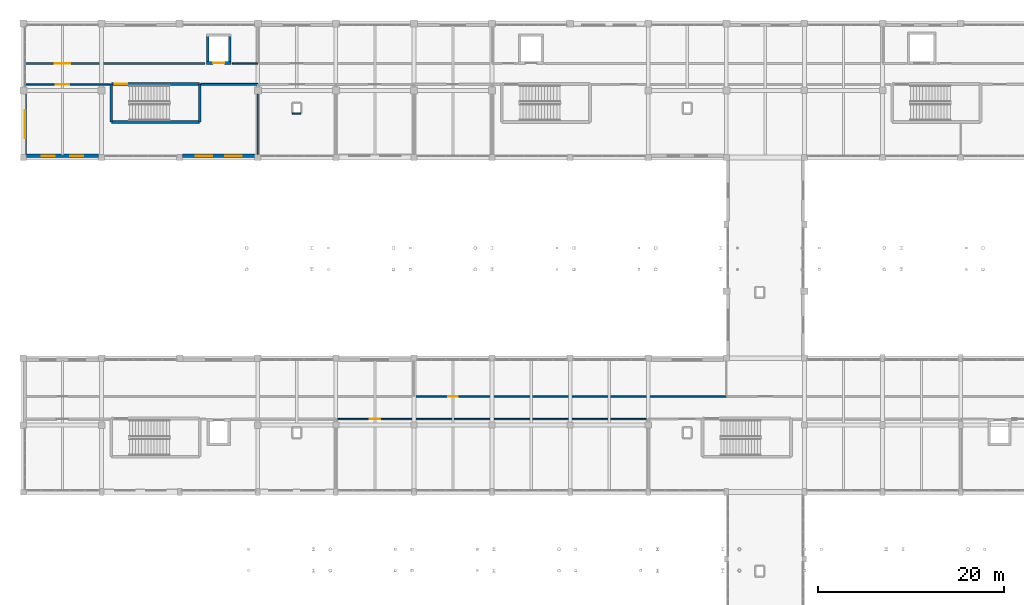
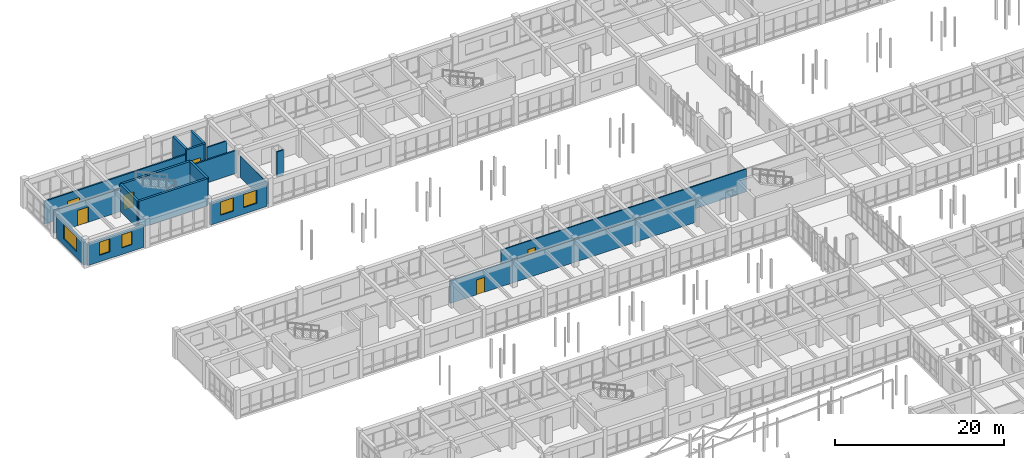
# One storey, part 131 of 147: 18 walls, 6 doors, 5 windows, 11 openings.
"""IFC4 building model written with IfcOpenShell, lengths in metres."""

from ifc_helpers import new_model, si_unit, direction, frame, frame_2d, origin, place, context, subcontext, project, spatial, rectangle, extrude, material, layer, layer_set, type_object, element, fill, save


model = new_model("IFC4")

# Units and contexts
model_context = context("Model", 3, precision=1e-05, world=origin(), true_north=direction((0.0, 1.0)))
body_context = subcontext(model_context, "Body", "Model", "MODEL_VIEW")
ifc_project = project(units=[si_unit("LENGTHUNIT", "METRE"), si_unit("AREAUNIT", "SQUARE_METRE"), si_unit("VOLUMEUNIT", "CUBIC_METRE"), si_unit("PLANEANGLEUNIT", "RADIAN"), si_unit("MASSUNIT", "GRAM", prefix="KILO")], contexts=[model_context])

# Site, building, storey
site_placement = place(None, origin())
site = spatial("IfcSite", under=ifc_project, at=site_placement, CompositionType="ELEMENT")
building_placement = place(site_placement, origin())
building = spatial("IfcBuilding", under=site, at=building_placement, Name="Malvenik Polytechnic", CompositionType="ELEMENT")
storey_placement = place(building_placement, frame((0.0, 0.0, 5.10009765625)))
storey = spatial("IfcBuildingStorey", under=building, at=storey_placement, Name="L01", CompositionType="ELEMENT", Elevation=5.10009765625)

# Wall, opening, door
ifc_material_1 = material(Name="Concrete C35/45", Category="concrete")
ifc_layer_1 = layer(ifc_material_1, 0.280029296875)
ifc_layer_set_1 = layer_set([ifc_layer_1], Name="Concrete C35/45")
wall_type_1 = type_object("IfcWallType", Name="ARC-CW-S280", PredefinedType="SHEAR", material=ifc_layer_set_1)
wall_1_placement = place(storey_placement, frame((22.340087890625, 125.35009765625, 0.0), z_axis=(0.0, 0.0, 1.0), x_axis=(-1.0, 0.0, 0.0)))
wall_1 = element("IfcWall", 1, at=wall_1_placement, inside=storey, type_object=wall_type_1, Name="Lift Shaft Shear Wall LS-01 L01 -Y", PredefinedType="SHEAR", context=body_context, shape_type="SweptSolid", body=[
    extrude(rectangle(XDim=2.68017578125, YDim=0.280029296875, at=frame_2d((1.340087890625, 0.0))), origin(), (0.0, 0.0, 1.0), 3.919921875),
])
opening_1_placement = place(wall_1_placement, frame((0.739990234375, 0.0, 0.0)))
opening_1 = element("IfcOpeningElement", 2, at=opening_1_placement, cuts=wall_1, Name="Opening LD-02", PredefinedType="OPENING", context=body_context, shape_type="SweptSolid", body=[
    extrude(rectangle(XDim=1.199951171875, YDim=2.14990234375, at=frame_2d((0.60009765625, 1.074951171875))), frame((0.0, 0.14990234375, 0.0), z_axis=(0.0, -1.0, 0.0), x_axis=(1.0, 0.0, 0.0)), (0.0, 0.0, 1.0), 0.300048828125),
])
ifc_material_2 = material(Name="Stainless steel fire-rated sliding lift landing door", Category="steel")
door_type_1 = type_object("IfcDoorType", Name="ARC-LDR-LD-02", OperationType="NOTDEFINED", PredefinedType="DOOR", material=ifc_material_2)
door_1_placement = place(opening_1_placement, origin())
door_1 = element("IfcDoor", 3, at=door_1_placement, inside=storey, type_object=door_type_1, Name="Lift Sliding Landing Door LS-01 L01", OperationType="DOUBLE_DOOR_SLIDING", OverallHeight=2.14990234375, OverallWidth=1.199951171875, PredefinedType="DOOR", context=body_context, shape_type="SweptSolid", body=[
    extrude(rectangle(XDim=1.199951171875, YDim=2.14990234375, at=frame_2d((0.60009765625, 1.074951171875))), frame((0.0, 0.02490234375, 0.0), z_axis=(0.0, -1.0, 0.0), x_axis=(1.0, 0.0, 0.0)), (0.0, 0.0, 1.0), 0.050048828125),
])
fill(opening_1, door_1)

# Walls
for number, where, z_axis, x_axis, name in (
    (4, (19.800048828125, 125.2099609375, 0.0), (0.0, 0.0, 1.0), (0.0, 1.0, 0.0), "Lift Shaft Shear Wall LS-01 L01 -X"),
    (5, (22.199951171875, 128.489990234375, 0.0), (0.0, 0.0, 1.0), (0.0, -1.0, 0.0), "Lift Shaft Shear Wall LS-01 L01 +X"),
):
    element("IfcWall", number, at=place(storey_placement, frame(where, z_axis=z_axis, x_axis=x_axis)), inside=storey, type_object=wall_type_1, Name=name, PredefinedType="SHEAR", context=body_context, shape_type="SweptSolid", body=[
        extrude(rectangle(XDim=3.280029296875, YDim=0.280029296875, at=frame_2d((1.64013671875, 0.0))), origin(), (0.0, 0.0, 1.0), 3.919921875),
    ])
ifc_layer_2 = layer(ifc_material_1, 0.300048828125)
ifc_layer_set_2 = layer_set([ifc_layer_2], Name="Concrete C35/45")
wall_type_2 = type_object("IfcWallType", Name="ARC-CW-S300", PredefinedType="SHEAR", material=ifc_layer_set_2)
wall_2_placement = place(storey_placement, frame((9.449951171875, 119.0, 0.0), z_axis=(0.0, 0.0, 1.0), x_axis=(0.0, 1.0, 0.0)))
element("IfcWall", 6, at=wall_2_placement, inside=storey, type_object=wall_type_2, Name="Stair Core Shear Wall ST-01 L01 NEAR", PredefinedType="SHEAR", context=body_context, shape_type="SweptSolid", body=[
    extrude(rectangle(XDim=4.10009765625, YDim=0.300048828125, at=frame_2d((2.050048828125, 0.0))), origin(), (0.0, 0.0, 1.0), 3.919921875),
])

# Wall, opening, door
wall_3_placement = place(storey_placement, frame((9.449951171875, 123.10009765625, 0.0), z_axis=(0.0, 0.0, 1.0), x_axis=(1.0, 0.0, 0.0)))
wall_3 = element("IfcWall", 7, at=wall_3_placement, inside=storey, type_object=wall_type_2, Name="Stair Core Shear Wall ST-01 L01 RGHT", PredefinedType="SHEAR", context=body_context, shape_type="SweptSolid", body=[
    extrude(rectangle(XDim=9.5, YDim=0.300048828125, at=frame_2d((4.75, 0.0))), origin(), (0.0, 0.0, 1.0), 3.919921875),
])
opening_2_placement = place(wall_3_placement, frame((0.35009765625, 0.0, 0.0)))
opening_2 = element("IfcOpeningElement", 8, at=opening_2_placement, cuts=wall_3, Name="Opening SD-01", PredefinedType="OPENING", context=body_context, shape_type="SweptSolid", body=[
    extrude(rectangle(XDim=1.35009765625, YDim=2.199951171875, at=frame_2d((0.675048828125, 1.10009765625))), frame((0.0, 0.16015625, 0.0), z_axis=(0.0, -1.0, 0.0), x_axis=(1.0, 0.0, 0.0)), (0.0, 0.0, 1.0), 0.320068359375),
])
ifc_material_3 = material(Name="Fire-rated steel stair enclosure door", Category="steel")
door_type_2 = type_object("IfcDoorType", Name="ARC-IDR-SD-01", OperationType="NOTDEFINED", PredefinedType="DOOR", material=ifc_material_3)
door_2_placement = place(opening_2_placement, origin())
door_2 = element("IfcDoor", 9, at=door_2_placement, inside=storey, type_object=door_type_2, Name="Fire Stair Door ST-01 L01", OperationType="SINGLE_SWING_RIGHT", OverallHeight=2.199951171875, OverallWidth=1.35009765625, PredefinedType="DOOR", context=body_context, shape_type="SweptSolid", body=[
    extrude(rectangle(XDim=1.35009765625, YDim=2.199951171875, at=frame_2d((0.675048828125, 1.10009765625))), frame((0.0, 0.02490234375, 0.0), z_axis=(0.0, -1.0, 0.0), x_axis=(1.0, 0.0, 0.0)), (0.0, 0.0, 1.0), 0.050048828125),
])
fill(opening_2, door_2)

# Walls
wall_4_placement = place(storey_placement, frame((18.949951171875, 123.10009765625, 0.0), z_axis=(0.0, 0.0, 1.0), x_axis=(0.0, -1.0, 0.0)))
element("IfcWall", 10, at=wall_4_placement, inside=storey, type_object=wall_type_2, Name="Stair Core Shear Wall ST-01 L01 FAR", PredefinedType="SHEAR", context=body_context, shape_type="SweptSolid", body=[
    extrude(rectangle(XDim=4.10009765625, YDim=0.300048828125, at=frame_2d((2.050048828125, 0.0))), origin(), (0.0, 0.0, 1.0), 3.919921875),
])
wall_5_placement = place(storey_placement, frame((18.949951171875, 119.0, 0.0), z_axis=(0.0, 0.0, 1.0), x_axis=(-1.0, 0.0, 0.0)))
element("IfcWall", 11, at=wall_5_placement, inside=storey, type_object=wall_type_2, Name="Stair Core Shear Wall ST-01 L01 LEFT", PredefinedType="SHEAR", context=body_context, shape_type="SweptSolid", body=[
    extrude(rectangle(XDim=9.5, YDim=0.300048828125, at=frame_2d((4.75, 0.0))), origin(), (0.0, 0.0, 1.0), 3.919921875),
])

# Wall, openings, windows
ifc_material_4 = material(Name="Concrete C30/37", Category="concrete")
ifc_layer_3 = layer(ifc_material_4, 0.340087890625)
ifc_layer_set_3 = layer_set([ifc_layer_3], Name="Concrete C30/37")
wall_type_3 = type_object("IfcWallType", Name="ARC-EW-340", PredefinedType="SOLIDWALL", material=ifc_layer_set_3)
wall_6_placement = place(storey_placement, frame((24.876953125, 115.3701171875, 0.0), z_axis=(0.0, 0.0, 1.0), x_axis=(-1.0, 0.0, 0.0)))
wall_6 = element("IfcWall", 12, at=wall_6_placement, inside=storey, type_object=wall_type_3, Name="External Facade Wall EW-02 L01 #187", PredefinedType="SOLIDWALL", context=body_context, shape_type="SweptSolid", body=[
    extrude(rectangle(XDim=7.75390625, YDim=0.340087890625, at=frame_2d((3.876953125, 0.0))), origin(), (0.0, 0.0, 1.0), 3.10986328125),
])
opening_3_placement = place(wall_6_placement, frame((1.384765625, 0.0, 0.949951171875)))
opening_3 = element("IfcOpeningElement", 13, at=opening_3_placement, cuts=wall_6, Name="Opening W-04", PredefinedType="OPENING", context=body_context, shape_type="SweptSolid", body=[
    extrude(rectangle(XDim=1.800048828125, YDim=1.909912109375, at=frame_2d((0.89990234375, 0.955078125))), frame((0.0, 0.18017578125, 0.0), z_axis=(0.0, -1.0, 0.0), x_axis=(1.0, 0.0, 0.0)), (0.0, 0.0, 1.0), 0.360107421875),
])
opening_4_placement = place(wall_6_placement, frame((4.5693359375, 0.0, 0.949951171875)))
opening_4 = element("IfcOpeningElement", 14, at=opening_4_placement, cuts=wall_6, Name="Opening W-04", PredefinedType="OPENING", context=body_context, shape_type="SweptSolid", body=[
    extrude(rectangle(XDim=1.800048828125, YDim=1.909912109375, at=frame_2d((0.89990234375, 0.955078125))), frame((0.0, 0.18017578125, 0.0), z_axis=(0.0, -1.0, 0.0), x_axis=(1.0, 0.0, 0.0)), (0.0, 0.0, 1.0), 0.360107421875),
])
ifc_material_5 = material(Name="Thermally broken aluminium frame with low-E double glazing", Category="aluminium")
window_type_1 = type_object("IfcWindowType", Name="ARC-WIN-W-04", PartitioningType="SINGLE_PANEL", PredefinedType="WINDOW", material=ifc_material_5)
window_1_placement = place(opening_3_placement, origin())
window_1 = element("IfcWindow", 15, at=window_1_placement, inside=storey, type_object=window_type_1, Name="Punched Window W-04 L01 #153", OverallHeight=1.909912109375, OverallWidth=1.800048828125, PartitioningType="SINGLE_PANEL", PredefinedType="WINDOW", context=body_context, shape_type="SweptSolid", body=[
    extrude(rectangle(XDim=1.800048828125, YDim=1.909912109375, at=frame_2d((0.89990234375, 0.955078125))), frame((0.0, 0.030029296875, 0.0), z_axis=(0.0, -1.0, 0.0), x_axis=(1.0, 0.0, 0.0)), (0.0, 0.0, 1.0), 0.06005859375),
])
fill(opening_3, window_1)
window_2_placement = place(opening_4_placement, origin())
window_2 = element("IfcWindow", 16, at=window_2_placement, inside=storey, type_object=window_type_1, Name="Punched Window W-04 L01 #154", OverallHeight=1.909912109375, OverallWidth=1.800048828125, PartitioningType="SINGLE_PANEL", PredefinedType="WINDOW", context=body_context, shape_type="SweptSolid", body=[
    extrude(rectangle(XDim=1.800048828125, YDim=1.909912109375, at=frame_2d((0.89990234375, 0.955078125))), frame((0.0, 0.030029296875, 0.0), z_axis=(0.0, -1.0, 0.0), x_axis=(1.0, 0.0, 0.0)), (0.0, 0.0, 1.0), 0.06005859375),
])
fill(opening_4, window_2)

wall_7_placement = place(storey_placement, frame((8.076904296875, 115.3701171875, 0.0), z_axis=(0.0, 0.0, 1.0), x_axis=(-1.0, 0.0, 0.0)))
wall_7 = element("IfcWall", 17, at=wall_7_placement, inside=storey, type_object=wall_type_3, Name="External Facade Wall EW-02 L01 #188", PredefinedType="SOLIDWALL", context=body_context, shape_type="SweptSolid", body=[
    extrude(rectangle(XDim=7.75390625, YDim=0.340087890625, at=frame_2d((3.876953125, 0.0))), origin(), (0.0, 0.0, 1.0), 3.10986328125),
])
opening_5_placement = place(wall_7_placement, frame((1.6513671875, 0.0, 0.949951171875)))
opening_5 = element("IfcOpeningElement", 18, at=opening_5_placement, cuts=wall_7, Name="Opening W-06", PredefinedType="OPENING", context=body_context, shape_type="SweptSolid", body=[
    extrude(rectangle(XDim=1.39990234375, YDim=1.89990234375, at=frame_2d((0.699951171875, 0.949951171875))), frame((0.0, 0.18017578125, 0.0), z_axis=(0.0, -1.0, 0.0), x_axis=(1.0, 0.0, 0.0)), (0.0, 0.0, 1.0), 0.360107421875),
])
opening_6_placement = place(wall_7_placement, frame((4.70263671875, 0.0, 0.949951171875)))
opening_6 = element("IfcOpeningElement", 19, at=opening_6_placement, cuts=wall_7, Name="Opening W-06", PredefinedType="OPENING", context=body_context, shape_type="SweptSolid", body=[
    extrude(rectangle(XDim=1.39990234375, YDim=1.89990234375, at=frame_2d((0.699951171875, 0.949951171875))), frame((0.0, 0.18017578125, 0.0), z_axis=(0.0, -1.0, 0.0), x_axis=(1.0, 0.0, 0.0)), (0.0, 0.0, 1.0), 0.360107421875),
])
window_type_2 = type_object("IfcWindowType", Name="ARC-WIN-W-06", PartitioningType="SINGLE_PANEL", PredefinedType="WINDOW", material=ifc_material_5)
window_3_placement = place(opening_5_placement, origin())
window_3 = element("IfcWindow", 20, at=window_3_placement, inside=storey, type_object=window_type_2, Name="Punched Window W-06 L01 #155", OverallHeight=1.89990234375, OverallWidth=1.39990234375, PartitioningType="SINGLE_PANEL", PredefinedType="WINDOW", context=body_context, shape_type="SweptSolid", body=[
    extrude(rectangle(XDim=1.39990234375, YDim=1.89990234375, at=frame_2d((0.699951171875, 0.949951171875))), frame((0.0, 0.030029296875, 0.0), z_axis=(0.0, -1.0, 0.0), x_axis=(1.0, 0.0, 0.0)), (0.0, 0.0, 1.0), 0.06005859375),
])
fill(opening_5, window_3)
window_4_placement = place(opening_6_placement, origin())
window_4 = element("IfcWindow", 21, at=window_4_placement, inside=storey, type_object=window_type_2, Name="Punched Window W-06 L01 #156", OverallHeight=1.89990234375, OverallWidth=1.39990234375, PartitioningType="SINGLE_PANEL", PredefinedType="WINDOW", context=body_context, shape_type="SweptSolid", body=[
    extrude(rectangle(XDim=1.39990234375, YDim=1.89990234375, at=frame_2d((0.699951171875, 0.949951171875))), frame((0.0, 0.030029296875, 0.0), z_axis=(0.0, -1.0, 0.0), x_axis=(1.0, 0.0, 0.0)), (0.0, 0.0, 1.0), 0.06005859375),
])
fill(opening_6, window_4)

# Wall, opening, window
wall_8_placement = place(storey_placement, frame((0.169921875, 115.52294921875, 0.0), z_axis=(0.0, 0.0, 1.0), x_axis=(0.0, 1.0, 0.0)))
wall_8 = element("IfcWall", 22, at=wall_8_placement, inside=storey, type_object=wall_type_3, Name="External Facade Wall EW-02 L01 #189", PredefinedType="SOLIDWALL", context=body_context, shape_type="SweptSolid", body=[
    extrude(rectangle(XDim=6.504150390625, YDim=0.340087890625, at=frame_2d((3.251953125, 0.0))), origin(), (0.0, 0.0, 1.0), 3.309814453125),
])
opening_7_placement = place(wall_8_placement, frame((1.751953125, 0.0, 0.949951171875)))
opening_7 = element("IfcOpeningElement", 23, at=opening_7_placement, cuts=wall_8, Name="Opening W-08", PredefinedType="OPENING", context=body_context, shape_type="SweptSolid", body=[
    extrude(rectangle(XDim=3.0, YDim=2.10009765625, at=frame_2d((1.5, 1.050048828125))), frame((0.0, 0.18017578125, 0.0), z_axis=(0.0, -1.0, 0.0), x_axis=(1.0, 0.0, 0.0)), (0.0, 0.0, 1.0), 0.360107421875),
])
window_type_3 = type_object("IfcWindowType", Name="ARC-WIN-W-08", PartitioningType="SINGLE_PANEL", PredefinedType="WINDOW", material=ifc_material_5)
window_5_placement = place(opening_7_placement, origin())
window_5 = element("IfcWindow", 24, at=window_5_placement, inside=storey, type_object=window_type_3, Name="Punched Window W-08 L01 #157", OverallHeight=2.10009765625, OverallWidth=3.0, PartitioningType="SINGLE_PANEL", PredefinedType="WINDOW", context=body_context, shape_type="SweptSolid", body=[
    extrude(rectangle(XDim=3.0, YDim=2.10009765625, at=frame_2d((1.5, 1.050048828125))), frame((0.0, 0.030029296875, 0.0), z_axis=(0.0, -1.0, 0.0), x_axis=(1.0, 0.0, 0.0)), (0.0, 0.0, 1.0), 0.06005859375),
])
fill(opening_7, window_5)

# Wall, opening, door
ifc_material_6 = material(Name="Calcium silicate fire-rated blockwork 200mm", Category="masonry")
ifc_layer_4 = layer(ifc_material_6, 0.199951171875)
ifc_layer_set_4 = layer_set([ifc_layer_4], Name="Calcium silicate fire-rated blockwork 200mm")
wall_type_4 = type_object("IfcWallType", Name="ARC-FW-200", PredefinedType="SOLIDWALL", material=ifc_layer_set_4)
wall_9_placement = place(storey_placement, frame((0.219970703125, 125.300048828125, 0.0), z_axis=(0.0, 0.0, 1.0), x_axis=(1.0, 0.0, 0.0)))
wall_9 = element("IfcWall", 25, at=wall_9_placement, inside=storey, type_object=wall_type_4, Name="Interior Partition FW-02 L01 #148", PredefinedType="SOLIDWALL", context=body_context, shape_type="SweptSolid", body=[
    extrude(rectangle(XDim=19.31005859375, YDim=0.199951171875, at=frame_2d((9.655029296875, 0.0))), origin(), (0.0, 0.0, 1.0), 3.304931640625),
])
opening_8_placement = place(wall_9_placement, frame((3.155029296875, 0.0, 0.0)))
opening_8 = element("IfcOpeningElement", 26, at=opening_8_placement, cuts=wall_9, Name="Opening FD-03", PredefinedType="OPENING", context=body_context, shape_type="SweptSolid", body=[
    extrude(rectangle(XDim=1.64990234375, YDim=2.199951171875, at=frame_2d((0.824951171875, 1.10009765625))), frame((0.0, 0.10986328125, 0.0), z_axis=(0.0, -1.0, 0.0), x_axis=(1.0, 0.0, 0.0)), (0.0, 0.0, 1.0), 0.219970703125),
])
ifc_material_7 = material(Name="Fire-rated double-leaf laboratory door", Category="steel")
door_type_3 = type_object("IfcDoorType", Name="ARC-IDR-FD-03", OperationType="NOTDEFINED", PredefinedType="DOOR", material=ifc_material_7)
door_3_placement = place(opening_8_placement, origin())
door_3 = element("IfcDoor", 27, at=door_3_placement, inside=storey, type_object=door_type_3, Name="Interior Door FD-03 L01 #65", OperationType="DOUBLE_DOOR_SINGLE_SWING", OverallHeight=2.199951171875, OverallWidth=1.64990234375, PredefinedType="DOOR", context=body_context, shape_type="SweptSolid", body=[
    extrude(rectangle(XDim=1.64990234375, YDim=2.199951171875, at=frame_2d((0.824951171875, 1.10009765625))), frame((0.0, 0.02490234375, 0.0), z_axis=(0.0, -1.0, 0.0), x_axis=(1.0, 0.0, 0.0)), (0.0, 0.0, 1.0), 0.050048828125),
])
fill(opening_8, door_3)

# Walls
wall_10_placement = place(storey_placement, frame((25.199951171875, 123.050048828125, 0.0), z_axis=(0.0, 0.0, 1.0), x_axis=(-1.0, 0.0, 0.0)))
element("IfcWall", 28, at=wall_10_placement, inside=storey, type_object=wall_type_4, Name="Interior Partition FW-02 L01 #158", PredefinedType="SOLIDWALL", context=body_context, shape_type="SweptSolid", body=[
    extrude(rectangle(XDim=6.10986328125, YDim=0.199951171875, at=frame_2d((3.054931640625, 0.0))), origin(), (0.0, 0.0, 1.0), 3.304931640625),
])
ifc_material_8 = material(Name="Metal-stud gypsum board partition 125mm", Category="gypsum")
ifc_layer_5 = layer(ifc_material_8, 0.125)
ifc_layer_set_5 = layer_set([ifc_layer_5], Name="Metal-stud gypsum board partition 125mm")
wall_type_5 = type_object("IfcWallType", Name="ARC-PW-125", PredefinedType="PARTITIONING", material=ifc_layer_set_5)
wall_11_placement = place(storey_placement, frame((25.199951171875, 115.544921875, 0.0), z_axis=(0.0, 0.0, 1.0), x_axis=(0.0, 1.0, 0.0)))
element("IfcWall", 29, at=wall_11_placement, inside=storey, type_object=wall_type_5, Name="Interior Partition PW-03I L01 #160", PredefinedType="PARTITIONING", context=body_context, shape_type="SweptSolid", body=[
    extrude(rectangle(XDim=6.4599609375, YDim=0.125, at=frame_2d((3.22998046875, 0.0))), origin(), (0.0, 0.0, 1.0), 3.10498046875),
])
ifc_material_9 = material(Name="Double-stud acoustic gypsum board partition 160mm", Category="gypsum")
ifc_layer_6 = layer(ifc_material_9, 0.159912109375)
ifc_layer_set_6 = layer_set([ifc_layer_6], Name="Double-stud acoustic gypsum board partition 160mm")
wall_type_6 = type_object("IfcWallType", Name="ARC-PW-160", PredefinedType="PARTITIONING", material=ifc_layer_set_6)
wall_12_placement = place(storey_placement, frame((28.919921875, 119.919921875, 0.0), z_axis=(0.0, 0.0, 1.0), x_axis=(1.0, 0.0, 0.0)))
element("IfcWall", 30, at=wall_12_placement, inside=storey, type_object=wall_type_6, Name="Riser Shaft Enclosure L01 #13S", PredefinedType="PARTITIONING", context=body_context, shape_type="SweptSolid", body=[
    extrude(rectangle(XDim=0.91015625, YDim=0.159912109375, at=frame_2d((0.455078125, 0.0))), origin(), (0.0, 0.0, 1.0), 3.64990234375),
])
wall_13_placement = place(storey_placement, frame((22.469970703125, 125.300048828125, 0.0), z_axis=(0.0, 0.0, 1.0), x_axis=(1.0, 0.0, 0.0)))
element("IfcWall", 31, at=wall_13_placement, inside=storey, type_object=wall_type_6, Name="Interior Partition PW-01I L01 #149", PredefinedType="PARTITIONING", context=body_context, shape_type="SweptSolid", body=[
    extrude(rectangle(XDim=2.72998046875, YDim=0.159912109375, at=frame_2d((1.364990234375, 0.0))), origin(), (0.0, 0.0, 1.0), 3.304931640625),
])

# Wall, opening, door
wall_14_placement = place(storey_placement, frame((9.31005859375, 123.050048828125, 0.0), z_axis=(0.0, 0.0, 1.0), x_axis=(-1.0, 0.0, 0.0)))
wall_14 = element("IfcWall", 32, at=wall_14_placement, inside=storey, type_object=wall_type_6, Name="Interior Partition PW-01I L01 #159", PredefinedType="PARTITIONING", context=body_context, shape_type="SweptSolid", body=[
    extrude(rectangle(XDim=9.090087890625, YDim=0.159912109375, at=frame_2d((4.544921875, 0.0))), origin(), (0.0, 0.0, 1.0), 3.304931640625),
])
opening_9_placement = place(wall_14_placement, frame((4.385009765625, 0.0, 0.0)))
opening_9 = element("IfcOpeningElement", 33, at=opening_9_placement, cuts=wall_14, Name="Opening FD-08", PredefinedType="OPENING", context=body_context, shape_type="SweptSolid", body=[
    extrude(rectangle(XDim=1.449951171875, YDim=2.199951171875, at=frame_2d((0.72509765625, 1.10009765625))), frame((0.0, 0.08984375, 0.0), z_axis=(0.0, -1.0, 0.0), x_axis=(1.0, 0.0, 0.0)), (0.0, 0.0, 1.0), 0.179931640625),
])
ifc_material_10 = material(Name="Fire-rated seminar corridor door", Category="steel")
door_type_4 = type_object("IfcDoorType", Name="ARC-IDR-FD-08", OperationType="NOTDEFINED", PredefinedType="DOOR", material=ifc_material_10)
door_4_placement = place(opening_9_placement, origin())
door_4 = element("IfcDoor", 34, at=door_4_placement, inside=storey, type_object=door_type_4, Name="Interior Door FD-08 L01 #69", OperationType="SINGLE_SWING_LEFT", OverallHeight=2.199951171875, OverallWidth=1.449951171875, PredefinedType="DOOR", context=body_context, shape_type="SweptSolid", body=[
    extrude(rectangle(XDim=1.449951171875, YDim=2.199951171875, at=frame_2d((0.72509765625, 1.10009765625))), frame((0.0, 0.02490234375, 0.0), z_axis=(0.0, -1.0, 0.0), x_axis=(1.0, 0.0, 0.0)), (0.0, 0.0, 1.0), 0.050048828125),
])
fill(opening_9, door_4)

wall_15_placement = place(storey_placement, frame((42.0, 89.5, 0.0), z_axis=(0.0, 0.0, 1.0), x_axis=(1.0, 0.0, 0.0)))
wall_15 = element("IfcWall", 35, at=wall_15_placement, inside=storey, type_object=wall_type_6, Name="Interior Partition PW-01I L01 #177", PredefinedType="PARTITIONING", context=body_context, shape_type="SweptSolid", body=[
    extrude(rectangle(XDim=33.60009765625, YDim=0.159912109375, at=frame_2d((16.800048828125, 0.0))), origin(), (0.0, 0.0, 1.0), 3.304931640625),
])
opening_10_placement = place(wall_15_placement, frame((3.699951171875, 0.0, 0.0)))
opening_10 = element("IfcOpeningElement", 36, at=opening_10_placement, cuts=wall_15, Name="Opening FD-07", PredefinedType="OPENING", context=body_context, shape_type="SweptSolid", body=[
    extrude(rectangle(XDim=1.0, YDim=2.10009765625, at=frame_2d((0.5, 1.050048828125))), frame((0.0, 0.08984375, 0.0), z_axis=(0.0, -1.0, 0.0), x_axis=(1.0, 0.0, 0.0)), (0.0, 0.0, 1.0), 0.179931640625),
])
ifc_material_11 = material(Name="Fire-rated washroom corridor door", Category="steel")
door_type_5 = type_object("IfcDoorType", Name="ARC-IDR-FD-07", OperationType="NOTDEFINED", PredefinedType="DOOR", material=ifc_material_11)
door_5_placement = place(opening_10_placement, origin())
door_5 = element("IfcDoor", 37, at=door_5_placement, inside=storey, type_object=door_type_5, Name="Interior Door FD-07 L01 #76", OperationType="SINGLE_SWING_RIGHT", OverallHeight=2.10009765625, OverallWidth=1.0, PredefinedType="DOOR", context=body_context, shape_type="SweptSolid", body=[
    extrude(rectangle(XDim=1.0, YDim=2.10009765625, at=frame_2d((0.5, 1.050048828125))), frame((0.0, 0.02490234375, 0.0), z_axis=(0.0, -1.0, 0.0), x_axis=(1.0, 0.0, 0.0)), (0.0, 0.0, 1.0), 0.050048828125),
])
fill(opening_10, door_5)

wall_16_placement = place(storey_placement, frame((67.199951171875, 87.050048828125, 0.0), z_axis=(0.0, 0.0, 1.0), x_axis=(-1.0, 0.0, 0.0)))
wall_16 = element("IfcWall", 38, at=wall_16_placement, inside=storey, type_object=wall_type_6, Name="Interior Partition PW-01I L01 #187", PredefinedType="PARTITIONING", context=body_context, shape_type="SweptSolid", body=[
    extrude(rectangle(XDim=33.599853515625, YDim=0.159912109375, at=frame_2d((16.7998046875, 0.0))), origin(), (0.0, 0.0, 1.0), 3.304931640625),
])
opening_11_placement = place(wall_16_placement, frame((28.824951171875, 0.0, 0.0)))
opening_11 = element("IfcOpeningElement", 39, at=opening_11_placement, cuts=wall_16, Name="Opening FD-01", PredefinedType="OPENING", context=body_context, shape_type="SweptSolid", body=[
    extrude(rectangle(XDim=1.14990234375, YDim=2.14990234375, at=frame_2d((0.574951171875, 1.074951171875))), frame((0.0, 0.08984375, 0.0), z_axis=(0.0, -1.0, 0.0), x_axis=(1.0, 0.0, 0.0)), (0.0, 0.0, 1.0), 0.179931640625),
])
ifc_material_12 = material(Name="Fire-rated timber acoustic corridor door", Category="wood")
door_type_6 = type_object("IfcDoorType", Name="ARC-IDR-FD-01", OperationType="NOTDEFINED", PredefinedType="DOOR", material=ifc_material_12)
door_6_placement = place(opening_11_placement, origin())
door_6 = element("IfcDoor", 40, at=door_6_placement, inside=storey, type_object=door_type_6, Name="Interior Door FD-01 L01 #80", OperationType="SINGLE_SWING_LEFT", OverallHeight=2.14990234375, OverallWidth=1.14990234375, PredefinedType="DOOR", context=body_context, shape_type="SweptSolid", body=[
    extrude(rectangle(XDim=1.14990234375, YDim=2.14990234375, at=frame_2d((0.574951171875, 1.074951171875))), frame((0.0, 0.02490234375, 0.0), z_axis=(0.0, -1.0, 0.0), x_axis=(1.0, 0.0, 0.0)), (0.0, 0.0, 1.0), 0.050048828125),
])
fill(opening_11, door_6)

save(model, "model.ifc")
